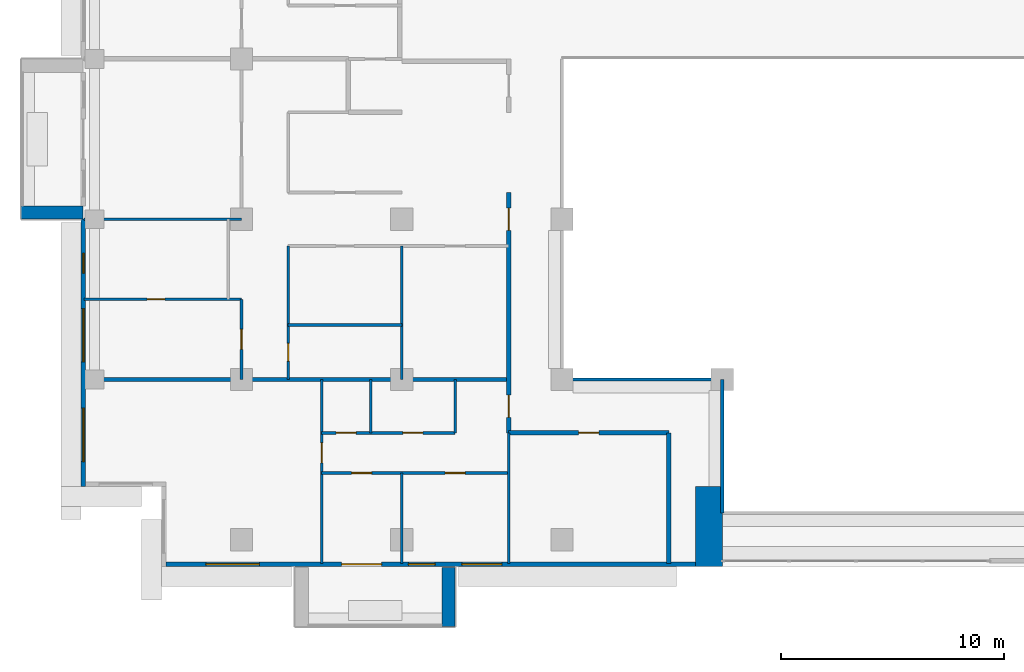
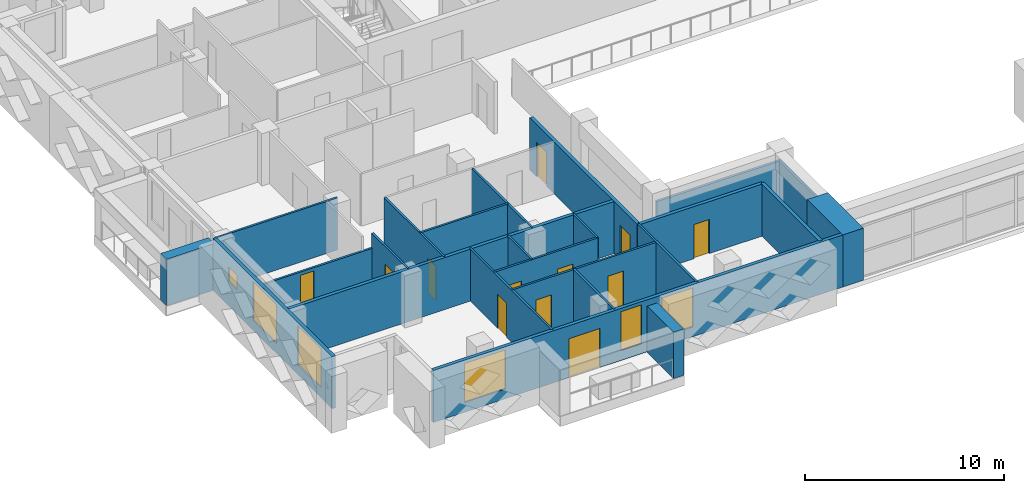
# One storey, part 6 of 20: 24 walls, 12 doors, 6 windows, 18 openings.
"""IFC4 building model written with IfcOpenShell, lengths in metres."""

from ifc_helpers import new_model, si_unit, direction, frame, frame_2d, origin, place, context, subcontext, project, spatial, rectangle, extrude, material, layer, layer_set, type_object, element, fill, save


model = new_model("IFC4")

# Units and contexts
model_context = context("Model", 3, precision=1e-05, world=origin(), true_north=direction((0.0, 1.0)))
body_context = subcontext(model_context, "Body", "Model", "MODEL_VIEW")
ifc_project = project(units=[si_unit("LENGTHUNIT", "METRE"), si_unit("AREAUNIT", "SQUARE_METRE"), si_unit("VOLUMEUNIT", "CUBIC_METRE"), si_unit("PLANEANGLEUNIT", "RADIAN"), si_unit("MASSUNIT", "GRAM", prefix="KILO")], contexts=[model_context])

# Site, building, storey
site_placement = place(None, origin())
site = spatial("IfcSite", under=ifc_project, at=site_placement, CompositionType="ELEMENT")
building_placement = place(site_placement, origin())
building = spatial("IfcBuilding", under=site, at=building_placement, Name="Saffron Iwan Residences", CompositionType="ELEMENT")
storey_placement = place(building_placement, frame((0.0, 0.0, 164.0)))
storey = spatial("IfcBuildingStorey", under=building, at=storey_placement, Name="L43", CompositionType="ELEMENT", Elevation=164.0)

# Walls
ifc_material_1 = material(Name="Fire-rated glazing", Category="glass")
ifc_layer_1 = layer(ifc_material_1, 0.14990234375)
ifc_layer_set_1 = layer_set([ifc_layer_1], Name="Fire-rated glazing")
wall_type_1 = type_object("IfcWallType", Name="Atrium glazed screen 150", PredefinedType="SOLIDWALL", material=ifc_layer_set_1)
wall_1_placement = place(storey_placement, frame((36.0, 48.0, 0.0), z_axis=(0.0, 0.0, 1.0), x_axis=(1.0, 0.0, 0.0)))
element("IfcWall", 1, at=wall_1_placement, inside=storey, type_object=wall_type_1, Name="W-L43-SCREEN-h48-36", PredefinedType="SOLIDWALL", context=body_context, shape_type="SweptSolid", body=[
    extrude(rectangle(XDim=7.199951171875, YDim=0.14990234375, at=frame_2d((3.60009765625, 0.0))), origin(), (0.0, 0.0, 1.0), 2.300048828125),
])
wall_2_placement = place(storey_placement, frame((43.199951171875, 42.0, 0.0), z_axis=(0.0, 0.0, 1.0), x_axis=(0.0, 1.0, 0.0)))
element("IfcWall", 2, at=wall_2_placement, inside=storey, type_object=wall_type_1, Name="W-L43-SCREEN-v43.2-42", PredefinedType="SOLIDWALL", context=body_context, shape_type="SweptSolid", body=[
    extrude(rectangle(XDim=6.0, YDim=0.14990234375, at=frame_2d((3.0, 0.0))), origin(), (0.0, 0.0, 1.0), 2.300048828125),
])
ifc_material_2 = material(Name="Concrete C50/60 white painted", Category="concrete")
ifc_layer_2 = layer(ifc_material_2, 0.60009765625)
ifc_layer_set_2 = layer_set([ifc_layer_2], Name="Concrete C50/60 white painted")
wall_type_2 = type_object("IfcWallType", Name="BALCONY FIN 600", PredefinedType="SOLIDWALL", material=ifc_layer_set_2)
wall_3_placement = place(storey_placement, frame((14.47509765625, 55.5, 0.0), z_axis=(0.0, 0.0, 1.0), x_axis=(-1.0, 0.0, 0.0)))
element("IfcWall", 3, at=wall_3_placement, inside=storey, type_object=wall_type_2, Name="Balcony fin L43 F8-0b", PredefinedType="SOLIDWALL", context=body_context, shape_type="SweptSolid", body=[
    extrude(rectangle(XDim=2.775146484375, YDim=0.60009765625, at=frame_2d((1.3876953125, 0.0))), origin(), (0.0, 0.0, 1.0), 2.85009765625),
])
wall_4_placement = place(storey_placement, frame((30.89990234375, 39.550048828125, 0.0), z_axis=(0.0, 0.0, 1.0), x_axis=(0.0, -1.0, 0.0)))
element("IfcWall", 4, at=wall_4_placement, inside=storey, type_object=wall_type_2, Name="Balcony fin L43 11-0b", PredefinedType="SOLIDWALL", context=body_context, shape_type="SweptSolid", body=[
    extrude(rectangle(XDim=2.650146484375, YDim=0.60009765625, at=frame_2d((1.3251953125, 0.0))), origin(), (0.0, 0.0, 1.0), 2.85009765625),
])

# Wall, openings, windows
ifc_material_3 = material(Name="Concrete C40/50", Category="concrete")
ifc_layer_3 = layer(ifc_material_3, 0.199951171875)
ifc_layer_set_3 = layer_set([ifc_layer_3], Name="Concrete C40/50")
wall_type_3 = type_object("IfcWallType", Name="EXTERNAL WALL 200", PredefinedType="SOLIDWALL", material=ifc_layer_set_3)
wall_5_placement = place(storey_placement, frame((14.5, 55.199951171875, 0.0), z_axis=(0.0, 0.0, 1.0), x_axis=(0.0, -1.0, 0.0)))
wall_5 = element("IfcWall", 5, at=wall_5_placement, inside=storey, type_object=wall_type_3, Name="External wall L43 F8.2", PredefinedType="SOLIDWALL", context=body_context, shape_type="SweptSolid", body=[
    extrude(rectangle(XDim=12.0, YDim=0.199951171875, at=frame_2d((6.0, 0.0))), origin(), (0.0, 0.0, 1.0), 3.199951171875),
])
opening_1_placement = place(wall_5_placement, frame((8.487548828125, 0.0, 0.60009765625)))
opening_1 = element("IfcOpeningElement", 6, at=opening_1_placement, cuts=wall_5, Name="Opening W1", PredefinedType="OPENING", context=body_context, shape_type="SweptSolid", body=[
    extrude(rectangle(XDim=2.39990234375, YDim=2.39990234375, at=frame_2d((1.199951171875, 1.199951171875))), frame((0.0, 0.10986328125, 0.0), z_axis=(0.0, -1.0, 0.0), x_axis=(1.0, 0.0, 0.0)), (0.0, 0.0, 1.0), 0.219970703125),
])
opening_2_placement = place(wall_5_placement, frame((4.012451171875, 0.0, 0.60009765625)))
opening_2 = element("IfcOpeningElement", 7, at=opening_2_placement, cuts=wall_5, Name="Opening W1", PredefinedType="OPENING", context=body_context, shape_type="SweptSolid", body=[
    extrude(rectangle(XDim=2.39990234375, YDim=2.39990234375, at=frame_2d((1.199951171875, 1.199951171875))), frame((0.0, 0.10986328125, 0.0), z_axis=(0.0, -1.0, 0.0), x_axis=(1.0, 0.0, 0.0)), (0.0, 0.0, 1.0), 0.219970703125),
])
opening_3_placement = place(wall_5_placement, frame((1.53759765625, 0.0, 1.5)))
opening_3 = element("IfcOpeningElement", 8, at=opening_3_placement, cuts=wall_5, Name="Opening W6", PredefinedType="OPENING", context=body_context, shape_type="SweptSolid", body=[
    extrude(rectangle(XDim=0.89990234375, YDim=0.89990234375, at=frame_2d((0.449951171875, 0.449951171875))), frame((0.0, 0.10986328125, 0.0), z_axis=(0.0, -1.0, 0.0), x_axis=(1.0, 0.0, 0.0)), (0.0, 0.0, 1.0), 0.219970703125),
])
ifc_material_4 = material(Name="Clear glass, laminated double glazed", Category="glass")
window_type_1 = type_object("IfcWindowType", Name="WINDOW 2400 x 2400", PartitioningType="DOUBLE_PANEL_VERTICAL", PredefinedType="WINDOW", material=ifc_material_4)
window_1_placement = place(opening_1_placement, origin())
window_1 = element("IfcWindow", 9, at=window_1_placement, inside=storey, type_object=window_type_1, Name="Window L43 F8.0", OverallHeight=2.39990234375, OverallWidth=2.39990234375, PartitioningType="DOUBLE_PANEL_VERTICAL", PredefinedType="WINDOW", context=body_context, shape_type="SweptSolid", body=[
    extrude(rectangle(XDim=2.39990234375, YDim=2.39990234375, at=frame_2d((1.199951171875, 1.199951171875))), frame((0.0, 0.030029296875, 0.0), z_axis=(0.0, -1.0, 0.0), x_axis=(1.0, 0.0, 0.0)), (0.0, 0.0, 1.0), 0.06005859375),
])
fill(opening_1, window_1)
window_2_placement = place(opening_2_placement, origin())
window_2 = element("IfcWindow", 10, at=window_2_placement, inside=storey, type_object=window_type_1, Name="Window L43 F8.1", OverallHeight=2.39990234375, OverallWidth=2.39990234375, PartitioningType="DOUBLE_PANEL_VERTICAL", PredefinedType="WINDOW", context=body_context, shape_type="SweptSolid", body=[
    extrude(rectangle(XDim=2.39990234375, YDim=2.39990234375, at=frame_2d((1.199951171875, 1.199951171875))), frame((0.0, 0.030029296875, 0.0), z_axis=(0.0, -1.0, 0.0), x_axis=(1.0, 0.0, 0.0)), (0.0, 0.0, 1.0), 0.06005859375),
])
fill(opening_2, window_2)
window_type_2 = type_object("IfcWindowType", Name="WINDOW 900 x 900 BATH", PartitioningType="SINGLE_PANEL", PredefinedType="WINDOW", material=ifc_material_4)
window_3_placement = place(opening_3_placement, origin())
window_3 = element("IfcWindow", 11, at=window_3_placement, inside=storey, type_object=window_type_2, Name="Window L43 F8.2", OverallHeight=0.89990234375, OverallWidth=0.89990234375, PartitioningType="SINGLE_PANEL", PredefinedType="WINDOW", context=body_context, shape_type="SweptSolid", body=[
    extrude(rectangle(XDim=0.89990234375, YDim=0.89990234375, at=frame_2d((0.449951171875, 0.449951171875))), frame((0.0, 0.030029296875, 0.0), z_axis=(0.0, -1.0, 0.0), x_axis=(1.0, 0.0, 0.0)), (0.0, 0.0, 1.0), 0.06005859375),
])
fill(opening_3, window_3)

# Wall, openings, door, windows
wall_6_placement = place(storey_placement, frame((18.199951171875, 39.699951171875, 0.0), z_axis=(0.0, 0.0, 1.0), x_axis=(1.0, 0.0, 0.0)))
wall_6 = element("IfcWall", 12, at=wall_6_placement, inside=storey, type_object=wall_type_3, Name="External wall L43 F11.0", PredefinedType="SOLIDWALL", context=body_context, shape_type="SweptSolid", body=[
    extrude(rectangle(XDim=23.800048828125, YDim=0.199951171875, at=frame_2d((11.89990234375, 0.0))), origin(), (0.0, 0.0, 1.0), 3.199951171875),
])
opening_4_placement = place(wall_6_placement, frame((7.89990234375, 0.0, 0.0)))
opening_4 = element("IfcOpeningElement", 13, at=opening_4_placement, cuts=wall_6, Name="Opening BD1", PredefinedType="OPENING", context=body_context, shape_type="SweptSolid", body=[
    extrude(rectangle(XDim=1.800048828125, YDim=2.39990234375, at=frame_2d((0.89990234375, 1.199951171875))), frame((0.0, 0.10986328125, 0.0), z_axis=(0.0, -1.0, 0.0), x_axis=(1.0, 0.0, 0.0)), (0.0, 0.0, 1.0), 0.219970703125),
])
opening_5_placement = place(wall_6_placement, frame((1.800048828125, 0.0, 0.60009765625)))
opening_5 = element("IfcOpeningElement", 14, at=opening_5_placement, cuts=wall_6, Name="Opening W1", PredefinedType="OPENING", context=body_context, shape_type="SweptSolid", body=[
    extrude(rectangle(XDim=2.39990234375, YDim=2.39990234375, at=frame_2d((1.199951171875, 1.199951171875))), frame((0.0, 0.10986328125, 0.0), z_axis=(0.0, -1.0, 0.0), x_axis=(1.0, 0.0, 0.0)), (0.0, 0.0, 1.0), 0.219970703125),
])
opening_6_placement = place(wall_6_placement, frame((10.89990234375, 0.0, 0.60009765625)))
opening_6 = element("IfcOpeningElement", 15, at=opening_6_placement, cuts=wall_6, Name="Opening W3", PredefinedType="OPENING", context=body_context, shape_type="SweptSolid", body=[
    extrude(rectangle(XDim=1.199951171875, YDim=2.39990234375, at=frame_2d((0.60009765625, 1.199951171875))), frame((0.0, 0.10986328125, 0.0), z_axis=(0.0, -1.0, 0.0), x_axis=(1.0, 0.0, 0.0)), (0.0, 0.0, 1.0), 0.219970703125),
])
opening_7_placement = place(wall_6_placement, frame((13.300048828125, 0.0, 0.60009765625)))
opening_7 = element("IfcOpeningElement", 16, at=opening_7_placement, cuts=wall_6, Name="Opening W8", PredefinedType="OPENING", context=body_context, shape_type="SweptSolid", body=[
    extrude(rectangle(XDim=1.800048828125, YDim=2.39990234375, at=frame_2d((0.89990234375, 1.199951171875))), frame((0.0, 0.10986328125, 0.0), z_axis=(0.0, -1.0, 0.0), x_axis=(1.0, 0.0, 0.0)), (0.0, 0.0, 1.0), 0.219970703125),
])
door_type_1 = type_object("IfcDoorType", Name="BALCONY DOOR 1800 x 2400", OperationType="DOUBLE_DOOR_SLIDING", PredefinedType="DOOR", material=ifc_material_4)
door_1_placement = place(opening_4_placement, origin())
door_1 = element("IfcDoor", 17, at=door_1_placement, inside=storey, type_object=door_type_1, Name="Balcony door L43 F11.0", OperationType="DOUBLE_DOOR_SLIDING", OverallHeight=2.39990234375, OverallWidth=1.800048828125, PredefinedType="DOOR", context=body_context, shape_type="SweptSolid", body=[
    extrude(rectangle(XDim=1.800048828125, YDim=2.39990234375, at=frame_2d((0.89990234375, 1.199951171875))), frame((0.0, 0.02490234375, 0.0), z_axis=(0.0, -1.0, 0.0), x_axis=(1.0, 0.0, 0.0)), (0.0, 0.0, 1.0), 0.050048828125),
])
fill(opening_4, door_1)
window_type_3 = type_object("IfcWindowType", Name="WINDOW 1200 x 2400", PartitioningType="SINGLE_PANEL", PredefinedType="WINDOW", material=ifc_material_4)
window_4_placement = place(opening_6_placement, origin())
window_4 = element("IfcWindow", 18, at=window_4_placement, inside=storey, type_object=window_type_3, Name="Window L43 F11.2", OverallHeight=2.39990234375, OverallWidth=1.199951171875, PartitioningType="SINGLE_PANEL", PredefinedType="WINDOW", context=body_context, shape_type="SweptSolid", body=[
    extrude(rectangle(XDim=1.199951171875, YDim=2.39990234375, at=frame_2d((0.60009765625, 1.199951171875))), frame((0.0, 0.030029296875, 0.0), z_axis=(0.0, -1.0, 0.0), x_axis=(1.0, 0.0, 0.0)), (0.0, 0.0, 1.0), 0.06005859375),
])
fill(opening_6, window_4)
window_type_4 = type_object("IfcWindowType", Name="WINDOW 1800 x 2400", PartitioningType="DOUBLE_PANEL_VERTICAL", PredefinedType="WINDOW", material=ifc_material_4)
window_5_placement = place(opening_7_placement, origin())
window_5 = element("IfcWindow", 19, at=window_5_placement, inside=storey, type_object=window_type_4, Name="Window L43 F11.3", OverallHeight=2.39990234375, OverallWidth=1.800048828125, PartitioningType="DOUBLE_PANEL_VERTICAL", PredefinedType="WINDOW", context=body_context, shape_type="SweptSolid", body=[
    extrude(rectangle(XDim=1.800048828125, YDim=2.39990234375, at=frame_2d((0.89990234375, 1.199951171875))), frame((0.0, 0.030029296875, 0.0), z_axis=(0.0, -1.0, 0.0), x_axis=(1.0, 0.0, 0.0)), (0.0, 0.0, 1.0), 0.06005859375),
])
fill(opening_7, window_5)
window_6_placement = place(opening_5_placement, origin())
window_6 = element("IfcWindow", 20, at=window_6_placement, inside=storey, type_object=window_type_1, Name="Window L43 F11.1", OverallHeight=2.39990234375, OverallWidth=2.39990234375, PartitioningType="DOUBLE_PANEL_VERTICAL", PredefinedType="WINDOW", context=body_context, shape_type="SweptSolid", body=[
    extrude(rectangle(XDim=2.39990234375, YDim=2.39990234375, at=frame_2d((1.199951171875, 1.199951171875))), frame((0.0, 0.030029296875, 0.0), z_axis=(0.0, -1.0, 0.0), x_axis=(1.0, 0.0, 0.0)), (0.0, 0.0, 1.0), 0.06005859375),
])
fill(opening_5, window_6)

# Wall
ifc_material_5 = material(Name="Fire-rated gypsum board wall")
ifc_layer_4 = layer(ifc_material_5, 0.199951171875)
ifc_layer_set_4 = layer_set([ifc_layer_4], Name="Fire-rated gypsum board wall")
wall_type_4 = type_object("IfcWallType", Name="Flat demising wall 200", PredefinedType="SOLIDWALL", material=ifc_layer_set_4)
wall_7_placement = place(storey_placement, frame((14.52490234375, 48.0, 0.0), z_axis=(0.0, 0.0, 1.0), x_axis=(1.0, 0.0, 0.0)))
element("IfcWall", 21, at=wall_7_placement, inside=storey, type_object=wall_type_4, Name="W-L43-DEMISE-h48-14.525", PredefinedType="SOLIDWALL", context=body_context, shape_type="SweptSolid", body=[
    extrude(rectangle(XDim=19.0751953125, YDim=0.199951171875, at=frame_2d((9.53759765625, 0.0))), origin(), (0.0, 0.0, 1.0), 3.199951171875),
])

# Wall, openings, doors
ifc_material_6 = material(Name="Gypsum board partition")
ifc_layer_5 = layer(ifc_material_6, 0.1201171875)
ifc_layer_set_5 = layer_set([ifc_layer_5], Name="Gypsum board partition")
wall_type_5 = type_object("IfcWallType", Name="Flat partition 120", PredefinedType="PARTITIONING", material=ifc_layer_set_5)
wall_8_placement = place(storey_placement, frame((25.199951171875, 43.800048828125, 0.0), z_axis=(0.0, 0.0, 1.0), x_axis=(1.0, 0.0, 0.0)))
wall_8 = element("IfcWall", 22, at=wall_8_placement, inside=storey, type_object=wall_type_5, Name="W-L43-PART-h43.8-25.2", PredefinedType="PARTITIONING", context=body_context, shape_type="SweptSolid", body=[
    extrude(rectangle(XDim=8.400146484375, YDim=0.1201171875, at=frame_2d((4.2001953125, 0.0))), origin(), (0.0, 0.0, 1.0), 3.199951171875),
])
opening_8_placement = place(wall_8_placement, frame((1.35009765625, 0.0, 0.0)))
opening_8 = element("IfcOpeningElement", 23, at=opening_8_placement, cuts=wall_8, Name="Opening FD2", PredefinedType="OPENING", context=body_context, shape_type="SweptSolid", body=[
    extrude(rectangle(XDim=0.89990234375, YDim=2.10009765625, at=frame_2d((0.449951171875, 1.050048828125))), frame((0.0, 0.070068359375, 0.0), z_axis=(0.0, -1.0, 0.0), x_axis=(1.0, 0.0, 0.0)), (0.0, 0.0, 1.0), 0.14013671875),
])
opening_9_placement = place(wall_8_placement, frame((5.550048828125, 0.0, 0.0)))
opening_9 = element("IfcOpeningElement", 24, at=opening_9_placement, cuts=wall_8, Name="Opening FD2", PredefinedType="OPENING", context=body_context, shape_type="SweptSolid", body=[
    extrude(rectangle(XDim=0.89990234375, YDim=2.10009765625, at=frame_2d((0.449951171875, 1.050048828125))), frame((0.0, 0.070068359375, 0.0), z_axis=(0.0, -1.0, 0.0), x_axis=(1.0, 0.0, 0.0)), (0.0, 0.0, 1.0), 0.14013671875),
])
ifc_material_7 = material(Name="Timber door", Category="wood")
door_type_2 = type_object("IfcDoorType", Name="Flat door 900", OperationType="NOTDEFINED", PredefinedType="DOOR", material=ifc_material_7)
door_2_placement = place(opening_8_placement, origin())
door_2 = element("IfcDoor", 25, at=door_2_placement, inside=storey, type_object=door_type_2, Name="Door L43-003", OperationType="SINGLE_SWING_RIGHT", OverallHeight=2.10009765625, OverallWidth=0.89990234375, PredefinedType="DOOR", context=body_context, shape_type="SweptSolid", body=[
    extrude(rectangle(XDim=0.89990234375, YDim=2.10009765625, at=frame_2d((0.449951171875, 1.050048828125))), frame((0.0, 0.02490234375, 0.0), z_axis=(0.0, -1.0, 0.0), x_axis=(1.0, 0.0, 0.0)), (0.0, 0.0, 1.0), 0.050048828125),
])
fill(opening_8, door_2)
door_3_placement = place(opening_9_placement, origin())
door_3 = element("IfcDoor", 26, at=door_3_placement, inside=storey, type_object=door_type_2, Name="Door L43-004", OperationType="SINGLE_SWING_LEFT", OverallHeight=2.10009765625, OverallWidth=0.89990234375, PredefinedType="DOOR", context=body_context, shape_type="SweptSolid", body=[
    extrude(rectangle(XDim=0.89990234375, YDim=2.10009765625, at=frame_2d((0.449951171875, 1.050048828125))), frame((0.0, 0.02490234375, 0.0), z_axis=(0.0, -1.0, 0.0), x_axis=(1.0, 0.0, 0.0)), (0.0, 0.0, 1.0), 0.050048828125),
])
fill(opening_9, door_3)

wall_9_placement = place(storey_placement, frame((25.199951171875, 45.60009765625, 0.0), z_axis=(0.0, 0.0, 1.0), x_axis=(1.0, 0.0, 0.0)))
wall_9 = element("IfcWall", 27, at=wall_9_placement, inside=storey, type_object=wall_type_5, Name="W-L43-PART-h45.6-25.2", PredefinedType="PARTITIONING", context=body_context, shape_type="SweptSolid", body=[
    extrude(rectangle(XDim=6.0, YDim=0.1201171875, at=frame_2d((3.0, 0.0))), origin(), (0.0, 0.0, 1.0), 3.199951171875),
])
opening_10_placement = place(wall_9_placement, frame((0.64990234375, 0.0, 0.0)))
opening_10 = element("IfcOpeningElement", 28, at=opening_10_placement, cuts=wall_9, Name="Opening FD2", PredefinedType="OPENING", context=body_context, shape_type="SweptSolid", body=[
    extrude(rectangle(XDim=0.89990234375, YDim=2.10009765625, at=frame_2d((0.449951171875, 1.050048828125))), frame((0.0, 0.070068359375, 0.0), z_axis=(0.0, -1.0, 0.0), x_axis=(1.0, 0.0, 0.0)), (0.0, 0.0, 1.0), 0.14013671875),
])
opening_11_placement = place(wall_9_placement, frame((3.64990234375, 0.0, 0.0)))
opening_11 = element("IfcOpeningElement", 29, at=opening_11_placement, cuts=wall_9, Name="Opening FD2", PredefinedType="OPENING", context=body_context, shape_type="SweptSolid", body=[
    extrude(rectangle(XDim=0.89990234375, YDim=2.10009765625, at=frame_2d((0.449951171875, 1.050048828125))), frame((0.0, 0.070068359375, 0.0), z_axis=(0.0, -1.0, 0.0), x_axis=(1.0, 0.0, 0.0)), (0.0, 0.0, 1.0), 0.14013671875),
])
door_4_placement = place(opening_10_placement, origin())
door_4 = element("IfcDoor", 30, at=door_4_placement, inside=storey, type_object=door_type_2, Name="Door L43-005", OperationType="SINGLE_SWING_LEFT", OverallHeight=2.10009765625, OverallWidth=0.89990234375, PredefinedType="DOOR", context=body_context, shape_type="SweptSolid", body=[
    extrude(rectangle(XDim=0.89990234375, YDim=2.10009765625, at=frame_2d((0.449951171875, 1.050048828125))), frame((0.0, 0.02490234375, 0.0), z_axis=(0.0, -1.0, 0.0), x_axis=(1.0, 0.0, 0.0)), (0.0, 0.0, 1.0), 0.050048828125),
])
fill(opening_10, door_4)
door_5_placement = place(opening_11_placement, origin())
door_5 = element("IfcDoor", 31, at=door_5_placement, inside=storey, type_object=door_type_2, Name="Door L43-006", OperationType="SINGLE_SWING_RIGHT", OverallHeight=2.10009765625, OverallWidth=0.89990234375, PredefinedType="DOOR", context=body_context, shape_type="SweptSolid", body=[
    extrude(rectangle(XDim=0.89990234375, YDim=2.10009765625, at=frame_2d((0.449951171875, 1.050048828125))), frame((0.0, 0.02490234375, 0.0), z_axis=(0.0, -1.0, 0.0), x_axis=(1.0, 0.0, 0.0)), (0.0, 0.0, 1.0), 0.050048828125),
])
fill(opening_11, door_5)

# Wall
wall_10_placement = place(storey_placement, frame((23.699951171875, 50.449951171875, 0.0), z_axis=(0.0, 0.0, 1.0), x_axis=(1.0, 0.0, 0.0)))
element("IfcWall", 32, at=wall_10_placement, inside=storey, type_object=wall_type_5, Name="W-L43-PART-h50.45-23.7", PredefinedType="PARTITIONING", context=body_context, shape_type="SweptSolid", body=[
    extrude(rectangle(XDim=5.10009765625, YDim=0.1201171875, at=frame_2d((2.550048828125, 0.0))), origin(), (0.0, 0.0, 1.0), 3.199951171875),
])

# Wall, opening, door
wall_11_placement = place(storey_placement, frame((14.52490234375, 51.60009765625, 0.0), z_axis=(0.0, 0.0, 1.0), x_axis=(1.0, 0.0, 0.0)))
wall_11 = element("IfcWall", 33, at=wall_11_placement, inside=storey, type_object=wall_type_5, Name="W-L43-PART-h51.6-14.525", PredefinedType="PARTITIONING", context=body_context, shape_type="SweptSolid", body=[
    extrude(rectangle(XDim=7.0751953125, YDim=0.1201171875, at=frame_2d((3.53759765625, 0.0))), origin(), (0.0, 0.0, 1.0), 2.300048828125),
])
opening_12_placement = place(wall_11_placement, frame((2.83740234375, 0.0, 0.0)))
opening_12 = element("IfcOpeningElement", 34, at=opening_12_placement, cuts=wall_11, Name="Opening FD3", PredefinedType="OPENING", context=body_context, shape_type="SweptSolid", body=[
    extrude(rectangle(XDim=0.800048828125, YDim=2.10009765625, at=frame_2d((0.39990234375, 1.050048828125))), frame((0.0, 0.070068359375, 0.0), z_axis=(0.0, -1.0, 0.0), x_axis=(1.0, 0.0, 0.0)), (0.0, 0.0, 1.0), 0.14013671875),
])
door_type_3 = type_object("IfcDoorType", Name="Bathroom door 800", OperationType="NOTDEFINED", PredefinedType="DOOR", material=ifc_material_7)
door_6_placement = place(opening_12_placement, origin())
door_6 = element("IfcDoor", 35, at=door_6_placement, inside=storey, type_object=door_type_3, Name="Door L43-010", OperationType="SINGLE_SWING_LEFT", OverallHeight=2.10009765625, OverallWidth=0.800048828125, PredefinedType="DOOR", context=body_context, shape_type="SweptSolid", body=[
    extrude(rectangle(XDim=0.800048828125, YDim=2.10009765625, at=frame_2d((0.39990234375, 1.050048828125))), frame((0.0, 0.02490234375, 0.0), z_axis=(0.0, -1.0, 0.0), x_axis=(1.0, 0.0, 0.0)), (0.0, 0.0, 1.0), 0.050048828125),
])
fill(opening_12, door_6)

# Wall
wall_12_placement = place(storey_placement, frame((14.52490234375, 55.199951171875, 0.0), z_axis=(0.0, 0.0, 1.0), x_axis=(1.0, 0.0, 0.0)))
element("IfcWall", 36, at=wall_12_placement, inside=storey, type_object=wall_type_5, Name="W-L43-PART-h55.2-14.525", PredefinedType="PARTITIONING", context=body_context, shape_type="SweptSolid", body=[
    extrude(rectangle(XDim=7.0751953125, YDim=0.1201171875, at=frame_2d((3.53759765625, 0.0))), origin(), (0.0, 0.0, 1.0), 3.199951171875),
])

# Wall, opening, door
wall_13_placement = place(storey_placement, frame((21.60009765625, 48.0, 0.0), z_axis=(0.0, 0.0, 1.0), x_axis=(0.0, 1.0, 0.0)))
wall_13 = element("IfcWall", 37, at=wall_13_placement, inside=storey, type_object=wall_type_5, Name="W-L43-PART-v21.6-48", PredefinedType="PARTITIONING", context=body_context, shape_type="SweptSolid", body=[
    extrude(rectangle(XDim=3.60009765625, YDim=0.1201171875, at=frame_2d((1.800048828125, 0.0))), origin(), (0.0, 0.0, 1.0), 3.199951171875),
])
opening_13_placement = place(wall_13_placement, frame((1.35009765625, 0.0, 0.0)))
opening_13 = element("IfcOpeningElement", 38, at=opening_13_placement, cuts=wall_13, Name="Opening FD2", PredefinedType="OPENING", context=body_context, shape_type="SweptSolid", body=[
    extrude(rectangle(XDim=0.89990234375, YDim=2.10009765625, at=frame_2d((0.449951171875, 1.050048828125))), frame((0.0, 0.070068359375, 0.0), z_axis=(0.0, -1.0, 0.0), x_axis=(1.0, 0.0, 0.0)), (0.0, 0.0, 1.0), 0.14013671875),
])
door_7_placement = place(opening_13_placement, origin())
door_7 = element("IfcDoor", 39, at=door_7_placement, inside=storey, type_object=door_type_2, Name="Door L43-009", OperationType="SINGLE_SWING_RIGHT", OverallHeight=2.10009765625, OverallWidth=0.89990234375, PredefinedType="DOOR", context=body_context, shape_type="SweptSolid", body=[
    extrude(rectangle(XDim=0.89990234375, YDim=2.10009765625, at=frame_2d((0.449951171875, 1.050048828125))), frame((0.0, 0.02490234375, 0.0), z_axis=(0.0, -1.0, 0.0), x_axis=(1.0, 0.0, 0.0)), (0.0, 0.0, 1.0), 0.050048828125),
])
fill(opening_13, door_7)

wall_14_placement = place(storey_placement, frame((23.699951171875, 48.0, 0.0), z_axis=(0.0, 0.0, 1.0), x_axis=(0.0, 1.0, 0.0)))
wall_14 = element("IfcWall", 40, at=wall_14_placement, inside=storey, type_object=wall_type_5, Name="W-L43-PART-v23.7-48", PredefinedType="PARTITIONING", context=body_context, shape_type="SweptSolid", body=[
    extrude(rectangle(XDim=6.0, YDim=0.1201171875, at=frame_2d((3.0, 0.0))), origin(), (0.0, 0.0, 1.0), 3.199951171875),
])
opening_14_placement = place(wall_14_placement, frame((0.824951171875, 0.0, 0.0)))
opening_14 = element("IfcOpeningElement", 41, at=opening_14_placement, cuts=wall_14, Name="Opening FD3", PredefinedType="OPENING", context=body_context, shape_type="SweptSolid", body=[
    extrude(rectangle(XDim=0.800048828125, YDim=2.10009765625, at=frame_2d((0.39990234375, 1.050048828125))), frame((0.0, 0.070068359375, 0.0), z_axis=(0.0, -1.0, 0.0), x_axis=(1.0, 0.0, 0.0)), (0.0, 0.0, 1.0), 0.14013671875),
])
door_8_placement = place(opening_14_placement, origin())
door_8 = element("IfcDoor", 42, at=door_8_placement, inside=storey, type_object=door_type_3, Name="Door L43-012", OperationType="SINGLE_SWING_RIGHT", OverallHeight=2.10009765625, OverallWidth=0.800048828125, PredefinedType="DOOR", context=body_context, shape_type="SweptSolid", body=[
    extrude(rectangle(XDim=0.800048828125, YDim=2.10009765625, at=frame_2d((0.39990234375, 1.050048828125))), frame((0.0, 0.02490234375, 0.0), z_axis=(0.0, -1.0, 0.0), x_axis=(1.0, 0.0, 0.0)), (0.0, 0.0, 1.0), 0.050048828125),
])
fill(opening_14, door_8)

wall_15_placement = place(storey_placement, frame((25.199951171875, 39.72509765625, 0.0), z_axis=(0.0, 0.0, 1.0), x_axis=(0.0, 1.0, 0.0)))
wall_15 = element("IfcWall", 43, at=wall_15_placement, inside=storey, type_object=wall_type_5, Name="W-L43-PART-v25.2-39.725", PredefinedType="PARTITIONING", context=body_context, shape_type="SweptSolid", body=[
    extrude(rectangle(XDim=8.27490234375, YDim=0.1201171875, at=frame_2d((4.137451171875, 0.0))), origin(), (0.0, 0.0, 1.0), 3.199951171875),
])
opening_15_placement = place(wall_15_placement, frame((4.52490234375, 0.0, 0.0)))
opening_15 = element("IfcOpeningElement", 44, at=opening_15_placement, cuts=wall_15, Name="Opening FD2", PredefinedType="OPENING", context=body_context, shape_type="SweptSolid", body=[
    extrude(rectangle(XDim=0.89990234375, YDim=2.10009765625, at=frame_2d((0.449951171875, 1.050048828125))), frame((0.0, 0.070068359375, 0.0), z_axis=(0.0, -1.0, 0.0), x_axis=(1.0, 0.0, 0.0)), (0.0, 0.0, 1.0), 0.14013671875),
])
door_9_placement = place(opening_15_placement, origin())
door_9 = element("IfcDoor", 45, at=door_9_placement, inside=storey, type_object=door_type_2, Name="Door L43-002", OperationType="SINGLE_SWING_LEFT", OverallHeight=2.10009765625, OverallWidth=0.89990234375, PredefinedType="DOOR", context=body_context, shape_type="SweptSolid", body=[
    extrude(rectangle(XDim=0.89990234375, YDim=2.10009765625, at=frame_2d((0.449951171875, 1.050048828125))), frame((0.0, 0.02490234375, 0.0), z_axis=(0.0, -1.0, 0.0), x_axis=(1.0, 0.0, 0.0)), (0.0, 0.0, 1.0), 0.050048828125),
])
fill(opening_15, door_9)

# Walls
wall_16_placement = place(storey_placement, frame((27.39990234375, 45.60009765625, 0.0), z_axis=(0.0, 0.0, 1.0), x_axis=(0.0, 1.0, 0.0)))
element("IfcWall", 46, at=wall_16_placement, inside=storey, type_object=wall_type_5, Name="W-L43-PART-v27.4-45.6", PredefinedType="PARTITIONING", context=body_context, shape_type="SweptSolid", body=[
    extrude(rectangle(XDim=2.39990234375, YDim=0.1201171875, at=frame_2d((1.199951171875, 0.0))), origin(), (0.0, 0.0, 1.0), 3.199951171875),
])
wall_17_placement = place(storey_placement, frame((28.800048828125, 39.72509765625, 0.0), z_axis=(0.0, 0.0, 1.0), x_axis=(0.0, 1.0, 0.0)))
element("IfcWall", 47, at=wall_17_placement, inside=storey, type_object=wall_type_5, Name="W-L43-PART-v28.8-39.725", PredefinedType="PARTITIONING", context=body_context, shape_type="SweptSolid", body=[
    extrude(rectangle(XDim=4.074951171875, YDim=0.1201171875, at=frame_2d((2.03759765625, 0.0))), origin(), (0.0, 0.0, 1.0), 3.199951171875),
])
wall_18_placement = place(storey_placement, frame((28.800048828125, 48.0, 0.0), z_axis=(0.0, 0.0, 1.0), x_axis=(0.0, 1.0, 0.0)))
element("IfcWall", 48, at=wall_18_placement, inside=storey, type_object=wall_type_5, Name="W-L43-PART-v28.8-48", PredefinedType="PARTITIONING", context=body_context, shape_type="SweptSolid", body=[
    extrude(rectangle(XDim=6.0, YDim=0.1201171875, at=frame_2d((3.0, 0.0))), origin(), (0.0, 0.0, 1.0), 3.199951171875),
])
wall_19_placement = place(storey_placement, frame((31.199951171875, 45.60009765625, 0.0), z_axis=(0.0, 0.0, 1.0), x_axis=(0.0, 1.0, 0.0)))
element("IfcWall", 49, at=wall_19_placement, inside=storey, type_object=wall_type_5, Name="W-L43-PART-v31.2-45.6", PredefinedType="PARTITIONING", context=body_context, shape_type="SweptSolid", body=[
    extrude(rectangle(XDim=2.39990234375, YDim=0.1201171875, at=frame_2d((1.199951171875, 0.0))), origin(), (0.0, 0.0, 1.0), 3.199951171875),
])
wall_20_placement = place(storey_placement, frame((33.60009765625, 39.72509765625, 0.0), z_axis=(0.0, 0.0, 1.0), x_axis=(0.0, 1.0, 0.0)))
element("IfcWall", 50, at=wall_20_placement, inside=storey, type_object=wall_type_5, Name="W-L43-PART-v33.6-39.725", PredefinedType="PARTITIONING", context=body_context, shape_type="SweptSolid", body=[
    extrude(rectangle(XDim=5.875, YDim=0.1201171875, at=frame_2d((2.9375, 0.0))), origin(), (0.0, 0.0, 1.0), 3.199951171875),
])

# Wall, opening, door
ifc_layer_6 = layer(ifc_material_5, 0.199951171875)
ifc_layer_set_6 = layer_set([ifc_layer_6], Name="Fire-rated gypsum board wall")
wall_type_6 = type_object("IfcWallType", Name="Gallery wall 200", PredefinedType="SOLIDWALL", material=ifc_layer_set_6)
wall_21_placement = place(storey_placement, frame((33.60009765625, 45.60009765625, 0.0), z_axis=(0.0, 0.0, 1.0), x_axis=(1.0, 0.0, 0.0)))
wall_21 = element("IfcWall", 51, at=wall_21_placement, inside=storey, type_object=wall_type_6, Name="W-L43-CORR-h45.6-33.6", PredefinedType="SOLIDWALL", context=body_context, shape_type="SweptSolid", body=[
    extrude(rectangle(XDim=7.199951171875, YDim=0.199951171875, at=frame_2d((3.60009765625, 0.0))), origin(), (0.0, 0.0, 1.0), 3.199951171875),
])
opening_16_placement = place(wall_21_placement, frame((3.14990234375, 0.0, 0.0)))
opening_16 = element("IfcOpeningElement", 52, at=opening_16_placement, cuts=wall_21, Name="Opening FD2", PredefinedType="OPENING", context=body_context, shape_type="SweptSolid", body=[
    extrude(rectangle(XDim=0.89990234375, YDim=2.10009765625, at=frame_2d((0.449951171875, 1.050048828125))), frame((0.0, 0.10986328125, 0.0), z_axis=(0.0, -1.0, 0.0), x_axis=(1.0, 0.0, 0.0)), (0.0, 0.0, 1.0), 0.219970703125),
])
door_10_placement = place(opening_16_placement, origin())
door_10 = element("IfcDoor", 53, at=door_10_placement, inside=storey, type_object=door_type_2, Name="Door L43-007", OperationType="SINGLE_SWING_LEFT", OverallHeight=2.10009765625, OverallWidth=0.89990234375, PredefinedType="DOOR", context=body_context, shape_type="SweptSolid", body=[
    extrude(rectangle(XDim=0.89990234375, YDim=2.10009765625, at=frame_2d((0.449951171875, 1.050048828125))), frame((0.0, 0.02490234375, 0.0), z_axis=(0.0, -1.0, 0.0), x_axis=(1.0, 0.0, 0.0)), (0.0, 0.0, 1.0), 0.050048828125),
])
fill(opening_16, door_10)

# Wall, openings, doors
wall_22_placement = place(storey_placement, frame((33.60009765625, 45.60009765625, 0.0), z_axis=(0.0, 0.0, 1.0), x_axis=(0.0, 1.0, 0.0)))
wall_22 = element("IfcWall", 54, at=wall_22_placement, inside=storey, type_object=wall_type_6, Name="W-L43-CORR-v33.6-45.6", PredefinedType="SOLIDWALL", context=body_context, shape_type="SweptSolid", body=[
    extrude(rectangle(XDim=10.7998046875, YDim=0.199951171875, at=frame_2d((5.39990234375, 0.0))), origin(), (0.0, 0.0, 1.0), 3.199951171875),
])
opening_17_placement = place(wall_22_placement, frame((0.699951171875, 0.0, 0.0)))
opening_17 = element("IfcOpeningElement", 55, at=opening_17_placement, cuts=wall_22, Name="Opening FD1", PredefinedType="OPENING", context=body_context, shape_type="SweptSolid", body=[
    extrude(rectangle(XDim=1.0, YDim=2.10009765625, at=frame_2d((0.5, 1.050048828125))), frame((0.0, 0.10986328125, 0.0), z_axis=(0.0, -1.0, 0.0), x_axis=(1.0, 0.0, 0.0)), (0.0, 0.0, 1.0), 0.219970703125),
])
opening_18_placement = place(wall_22_placement, frame((9.10009765625, 0.0, 0.0)))
opening_18 = element("IfcOpeningElement", 56, at=opening_18_placement, cuts=wall_22, Name="Opening FD1", PredefinedType="OPENING", context=body_context, shape_type="SweptSolid", body=[
    extrude(rectangle(XDim=1.0, YDim=2.10009765625, at=frame_2d((0.5, 1.050048828125))), frame((0.0, 0.10986328125, 0.0), z_axis=(0.0, -1.0, 0.0), x_axis=(1.0, 0.0, 0.0)), (0.0, 0.0, 1.0), 0.219970703125),
])
ifc_material_8 = material(Name="Fire-rated timber door", Category="wood")
door_type_4 = type_object("IfcDoorType", Name="FD30S flat entrance door 1000", OperationType="NOTDEFINED", PredefinedType="DOOR", material=ifc_material_8)
door_11_placement = place(opening_17_placement, origin())
door_11 = element("IfcDoor", 57, at=door_11_placement, inside=storey, type_object=door_type_4, Name="Door L43-001", OperationType="SINGLE_SWING_LEFT", OverallHeight=2.10009765625, OverallWidth=1.0, PredefinedType="DOOR", context=body_context, shape_type="SweptSolid", body=[
    extrude(rectangle(XDim=1.0, YDim=2.10009765625, at=frame_2d((0.5, 1.050048828125))), frame((0.0, 0.02490234375, 0.0), z_axis=(0.0, -1.0, 0.0), x_axis=(1.0, 0.0, 0.0)), (0.0, 0.0, 1.0), 0.050048828125),
])
fill(opening_17, door_11)
door_12_placement = place(opening_18_placement, origin())
door_12 = element("IfcDoor", 58, at=door_12_placement, inside=storey, type_object=door_type_4, Name="Door L43-008", OperationType="SINGLE_SWING_LEFT", OverallHeight=2.10009765625, OverallWidth=1.0, PredefinedType="DOOR", context=body_context, shape_type="SweptSolid", body=[
    extrude(rectangle(XDim=1.0, YDim=2.10009765625, at=frame_2d((0.5, 1.050048828125))), frame((0.0, 0.02490234375, 0.0), z_axis=(0.0, -1.0, 0.0), x_axis=(1.0, 0.0, 0.0)), (0.0, 0.0, 1.0), 0.050048828125),
])
fill(opening_18, door_12)

# Walls
wall_23_placement = place(storey_placement, frame((40.800048828125, 39.72509765625, 0.0), z_axis=(0.0, 0.0, 1.0), x_axis=(0.0, 1.0, 0.0)))
element("IfcWall", 59, at=wall_23_placement, inside=storey, type_object=wall_type_6, Name="W-L43-CORR-v40.8-39.725", PredefinedType="SOLIDWALL", context=body_context, shape_type="SweptSolid", body=[
    extrude(rectangle(XDim=5.875, YDim=0.199951171875, at=frame_2d((2.9375, 0.0))), origin(), (0.0, 0.0, 1.0), 3.199951171875),
])
ifc_material_9 = material(Name="Concrete C50/60", Category="concrete")
ifc_layer_7 = layer(ifc_material_9, 1.199951171875)
ifc_layer_set_7 = layer_set([ifc_layer_7], Name="Concrete C50/60")
wall_type_7 = type_object("IfcWallType", Name="WALL IWAN PIER 1200 C50/60 3200 HIGH", PredefinedType="SHEAR", material=ifc_layer_set_7)
wall_24_placement = place(storey_placement, frame((42.60009765625, 39.60009765625, 0.0), z_axis=(0.0, 0.0, 1.0), x_axis=(0.0, 1.0, 0.0)))
element("IfcWall", 60, at=wall_24_placement, inside=storey, type_object=wall_type_7, Name="IWAN PIER", PredefinedType="SHEAR", context=body_context, shape_type="SweptSolid", body=[
    extrude(rectangle(XDim=3.599853515625, YDim=1.199951171875, at=frame_2d((1.7998046875, 0.0))), origin(), (0.0, 0.0, 1.0), 3.199951171875),
])

save(model, "model.ifc")
